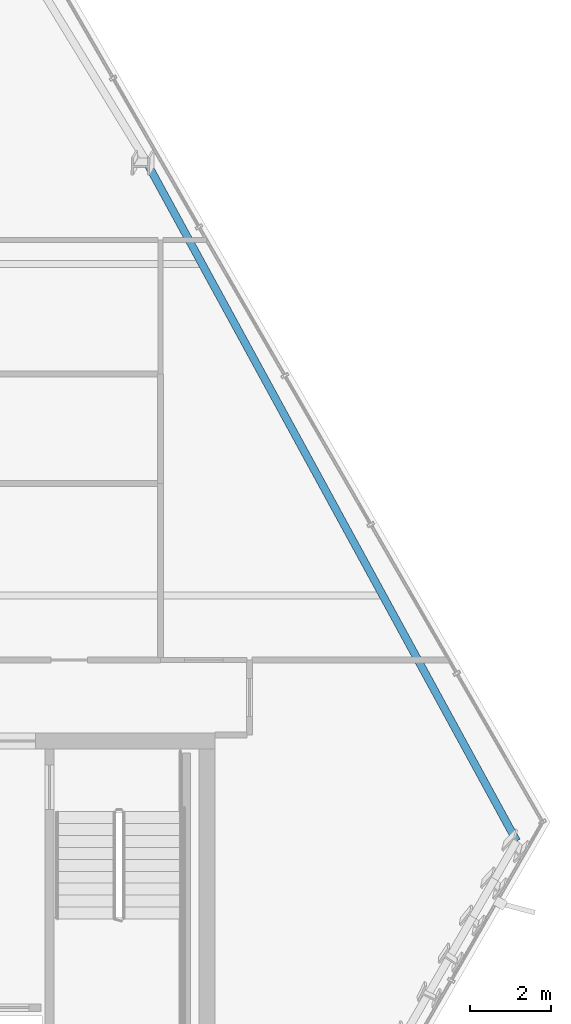
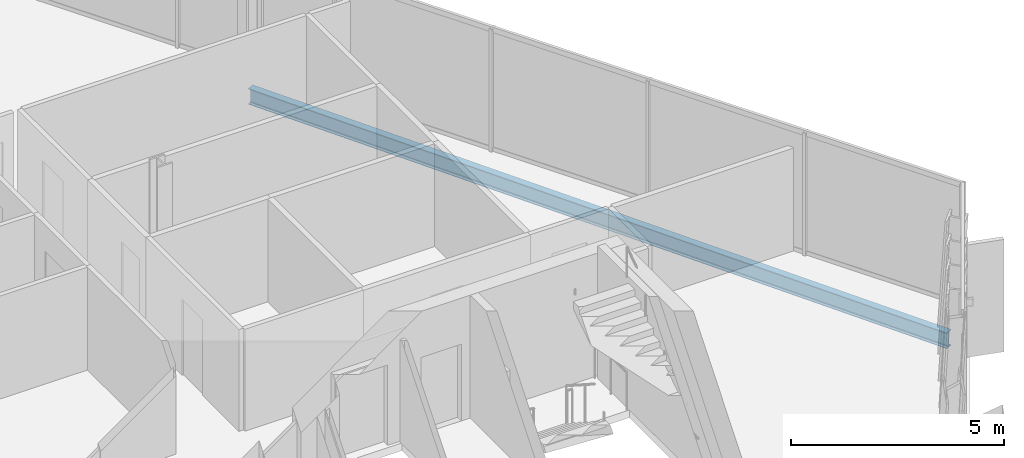
# One storey, part 16 of 34: 1 beam.
"""IFC4 building model written with IfcOpenShell, lengths in metres."""

import ifcopenshell
import ifcopenshell.guid

model = None  # the IFC model being written
_history = None  # IfcOwnerHistory: only IFC2X3 demands one
_inside = {}  # id of a spatial element -> (the spatial element, [elements in it])
_under = {}  # id of a project, library or spatial element -> (it, [spatial elements below it])
_declared = {}  # id of a project -> (the project, [libraries it declares])
_typed = {}  # id of a type object -> (the type object, [elements of that type])
_made_of = {}  # id of a material, layer set ... -> (it, [elements and type objects made of it])


def new_model(schema):
    """Start an empty IFC model of exactly this schema.

    Asked for "IFC4X3", IfcOpenShell would pick the latest addendum, in which some entities
    have other attributes; the version numbers below select the first issue.
    IFC2X3 requires an IfcOwnerHistory on every rooted entity: one is made here for all.
    """
    global model, _history
    if schema == "IFC4X3":
        model = ifcopenshell.file(schema_version=(4, 3, 0, 0))
    else:
        model = ifcopenshell.file(schema=schema)
    _inside.clear()
    _under.clear()
    _declared.clear()
    _typed.clear()
    _made_of.clear()
    _history = None
    if model.schema == "IFC2X3":
        org = make("IfcOrganization", Name="unknown")
        user = make(
            "IfcPersonAndOrganization",
            ThePerson=make("IfcPerson", FamilyName="unknown"),
            TheOrganization=org,
        )
        app = make(
            "IfcApplication",
            ApplicationDeveloper=org,
            Version="unknown",
            ApplicationFullName="unknown",
            ApplicationIdentifier="unknown",
        )
        _history = make(
            "IfcOwnerHistory",
            OwningUser=user,
            OwningApplication=app,
            ChangeAction="ADDED",
            CreationDate=0,
        )
    return model


def make(cls, **values):
    """One entity of the class cls with the attributes given. An attribute that is None is left unset."""
    return model.create_entity(
        cls, **{name: value for name, value in values.items() if value is not None}
    )


def rooted(cls, **values):
    """An entity with a GlobalId (a new one), such as an element, a storey or a relation."""
    return make(cls, GlobalId=ifcopenshell.guid.new(), OwnerHistory=_history, **values)


def si_unit(unit_type, name, prefix=None):
    """IfcSIUnit, for example si_unit("LENGTHUNIT", "METRE", prefix="MILLI")."""
    return make("IfcSIUnit", UnitType=unit_type, Prefix=prefix, Name=name)


def assignment(units):
    """IfcUnitAssignment: the units of a project."""
    return None if units is None else make("IfcUnitAssignment", Units=units)


def point(xyz):
    """IfcCartesianPoint."""
    return None if xyz is None else make("IfcCartesianPoint", Coordinates=xyz)


def direction(xyz):
    """IfcDirection."""
    return None if xyz is None else make("IfcDirection", DirectionRatios=xyz)


def frame(location, z_axis=None, x_axis=None):
    """IfcAxis2Placement3D, a coordinate frame: its origin and axes. An axis left out is left unset."""
    return make(
        "IfcAxis2Placement3D",
        Location=point(location),
        Axis=direction(z_axis),
        RefDirection=direction(x_axis),
    )


def frame_2d(location, x_axis=None):
    """IfcAxis2Placement2D, a coordinate frame in the plane: its origin and x axis."""
    return make(
        "IfcAxis2Placement2D", Location=point(location), RefDirection=direction(x_axis)
    )


def origin():
    """The frame at (0, 0, 0) with its axes left unset."""
    return frame((0.0, 0.0, 0.0))


def origin_2d():
    """The frame at (0, 0) in the plane with its x axis left unset."""
    return frame_2d((0.0, 0.0))


def place(relative_to, where):
    """IfcLocalPlacement: puts the frame where relative to a parent placement (None: the world)."""
    return make(
        "IfcLocalPlacement", PlacementRelTo=relative_to, RelativePlacement=where
    )


def context(
    kind, dimensions, precision=None, world=None, true_north=None, identifier=None
):
    """IfcGeometricRepresentationContext, for example the 3D "Model" context."""
    return make(
        "IfcGeometricRepresentationContext",
        ContextIdentifier=identifier,
        ContextType=kind,
        CoordinateSpaceDimension=dimensions,
        Precision=precision,
        WorldCoordinateSystem=world,
        TrueNorth=true_north,
    )


def subcontext(parent, identifier, kind, view, scale=None):
    """IfcGeometricRepresentationSubContext, for example "Body" below "Model"."""
    return make(
        "IfcGeometricRepresentationSubContext",
        ContextIdentifier=identifier,
        ContextType=kind,
        ParentContext=parent,
        TargetScale=scale,
        TargetView=view,
    )


def project(units=None, contexts=None):
    """IfcProject with its units and contexts."""
    return rooted(
        "IfcProject",
        Name="project",
        RepresentationContexts=contexts,
        UnitsInContext=assignment(units),
    )


def spatial(cls, under=None, at=None, **own):
    """A site, building, storey or space (cls), placed at a placement, below another one or the project."""
    s = rooted(cls, ObjectPlacement=at, **own)
    if under is not None:
        _under.setdefault(under.id(), (under, []))[1].append(s)
    return s


def profile(cls, at=None, kind="AREA", **sizes):
    """A parametric profile (cls). Its sizes go by their IFC names, for example OverallWidth=200.0."""
    return make(cls, ProfileType=kind, Position=at, **sizes)


def i_section(**sizes):
    """IfcIShapeProfileDef."""
    return profile("IfcIShapeProfileDef", **sizes)


def extrude(swept, where, along, depth):
    """IfcExtrudedAreaSolid: the profile swept, set in the frame where, extruded along a direction by depth."""
    return make(
        "IfcExtrudedAreaSolid",
        SweptArea=swept,
        Position=where,
        ExtrudedDirection=direction(along),
        Depth=depth,
    )


def shape(context_of_items, identifier, shape_type, items):
    """IfcShapeRepresentation: the items that make up one representation, for example the "Body"."""
    return make(
        "IfcShapeRepresentation",
        ContextOfItems=context_of_items,
        RepresentationIdentifier=identifier,
        RepresentationType=shape_type,
        Items=items,
    )


def material(Name=None, Category=None):
    """IfcMaterial."""
    return make("IfcMaterial", Name=Name, Category=Category)


def material_profile(
    of_material, cross_section, Name=None, Category=None, Priority=None
):
    """IfcMaterialProfile: a cross section and its material."""
    return make(
        "IfcMaterialProfile",
        Name=Name,
        Material=of_material,
        Profile=cross_section,
        Priority=Priority,
        Category=Category,
    )


def profile_set(profiles, Name=None, composite=None):
    """IfcMaterialProfileSet."""
    return make(
        "IfcMaterialProfileSet",
        Name=Name,
        MaterialProfiles=profiles,
        CompositeProfile=composite,
    )


def made_of(thing, what):
    """Note that an element or type object is made of a material, layer set ...; save() writes the relation."""
    if what is not None:
        _made_of.setdefault(what.id(), (what, []))[1].append(thing)
    return thing


def type_object(cls, material=None, **own):
    """A type object (cls), such as IfcWallType, which elements share."""
    return made_of(rooted(cls, **own), material)


def element(
    cls,
    number,
    at=None,
    inside=None,
    cuts=None,
    type_object=None,
    material=None,
    context=None,
    identifier="Body",
    shape_type=None,
    held_by="IfcProductDefinitionShape",
    body=None,
    shapes=None,
    **own,
):
    """One element of the class cls, such as IfcWall. Its Tag is "e" and its number.

    at: its placement. inside: the storey or other place that contains it. cuts: it is an
    opening in that element (IfcRelVoidsElement). A single representation is given by context,
    identifier, shape_type and body (its items); several are given by shapes. held_by: the class
    of the entity that holds the representations. save() writes the other relations.
    """
    e = rooted(cls, Tag="e%d" % number, ObjectPlacement=at, **own)
    if body is not None:
        shapes = [shape(context, identifier, shape_type, body)]
    if shapes is not None:
        e.Representation = make(held_by, Representations=shapes)
    if inside is not None:
        _inside.setdefault(inside.id(), (inside, []))[1].append(e)
    if cuts is not None:
        rooted(
            "IfcRelVoidsElement", RelatingBuildingElement=cuts, RelatedOpeningElement=e
        )
    if type_object is not None:
        _typed.setdefault(type_object.id(), (type_object, []))[1].append(e)
    return made_of(e, material)


def aggregate(whole, parts):
    """IfcRelAggregates: a whole, such as a stair, and the parts it consists of."""
    return rooted("IfcRelAggregates", RelatingObject=whole, RelatedObjects=parts)


def save(model, path):
    """Write the relations noted so far, then the file.

    IfcRelAggregates (storeys below a building ...), IfcRelContainedInSpatialStructure (elements
    in a storey), IfcRelDefinesByType, IfcRelAssociatesMaterial and IfcRelDeclares: one each for
    every whole, place, type object, material and project.
    """
    for whole, parts in _under.values():
        aggregate(whole, parts)
    for where, things in _inside.values():
        rooted(
            "IfcRelContainedInSpatialStructure",
            RelatedElements=things,
            RelatingStructure=where,
        )
    for kind, things in _typed.values():
        rooted("IfcRelDefinesByType", RelatedObjects=things, RelatingType=kind)
    for what, things in _made_of.values():
        rooted("IfcRelAssociatesMaterial", RelatedObjects=things, RelatingMaterial=what)
    for by, libraries in _declared.values():
        rooted("IfcRelDeclares", RelatingContext=by, RelatedDefinitions=libraries)
    model.write(path)


model = new_model("IFC4")

# Units and contexts
model_context = context("Model", 3, precision=1e-05, world=origin(), true_north=direction((0.0, 1.0)))
body_context = subcontext(model_context, "Body", "Model", "MODEL_VIEW")
ifc_project = project(units=[si_unit("LENGTHUNIT", "METRE"), si_unit("AREAUNIT", "SQUARE_METRE"), si_unit("VOLUMEUNIT", "CUBIC_METRE"), si_unit("PLANEANGLEUNIT", "RADIAN"), si_unit("MASSUNIT", "GRAM", prefix="KILO")], contexts=[model_context])

# Site, building, storey
site_placement = place(None, origin())
site = spatial("IfcSite", under=ifc_project, at=site_placement, CompositionType="ELEMENT")
building_placement = place(site_placement, origin())
building = spatial("IfcBuilding", under=site, at=building_placement, Name="Ndaravel Arena Tower", CompositionType="ELEMENT")
storey_placement = place(building_placement, frame((0.0, 0.0, 199.199951171875)))
storey = spatial("IfcBuildingStorey", under=building, at=storey_placement, Name="L48", CompositionType="ELEMENT", Elevation=199.199951171875)

# Beam
ifc_material = material(Name="Steel S355", Category="steel")
ifc_material_profile = material_profile(ifc_material, i_section(OverallWidth=0.18994140625, OverallDepth=0.449951171875, WebThickness=0.009521484375, FlangeThickness=0.0146484375, FilletRadius=0.02099609375, at=origin_2d()), Name="IPE 450")
ifc_profile_set = profile_set([ifc_material_profile], Name="Steel S355")
beam_type = type_object("IfcBeamType", Name="BM-SPAN-IPE450", PredefinedType="SPANDREL", material=ifc_profile_set)
beam_placement = place(storey_placement, frame((65.010986328125, 12.5244140625, -0.445068359375), z_axis=(-0.478686591985, 0.8779858465, 0.0), x_axis=(-0.8779858465, -0.478686591985, 0.0)))
element("IfcBeam", 1, at=beam_placement, inside=storey, type_object=beam_type, Name="L48 Perimeter Spandrel Beam SP-09", PredefinedType="SPANDREL", context=body_context, shape_type="SweptSolid", body=[
    extrude(i_section(OverallWidth=0.18994140625, OverallDepth=0.449951171875, WebThickness=0.009521484375, FlangeThickness=0.0146484375, FilletRadius=0.02099609375, at=origin_2d()), origin(), (0.0, 0.0, 1.0), 19.220703125),
])

save(model, "model.ifc")
